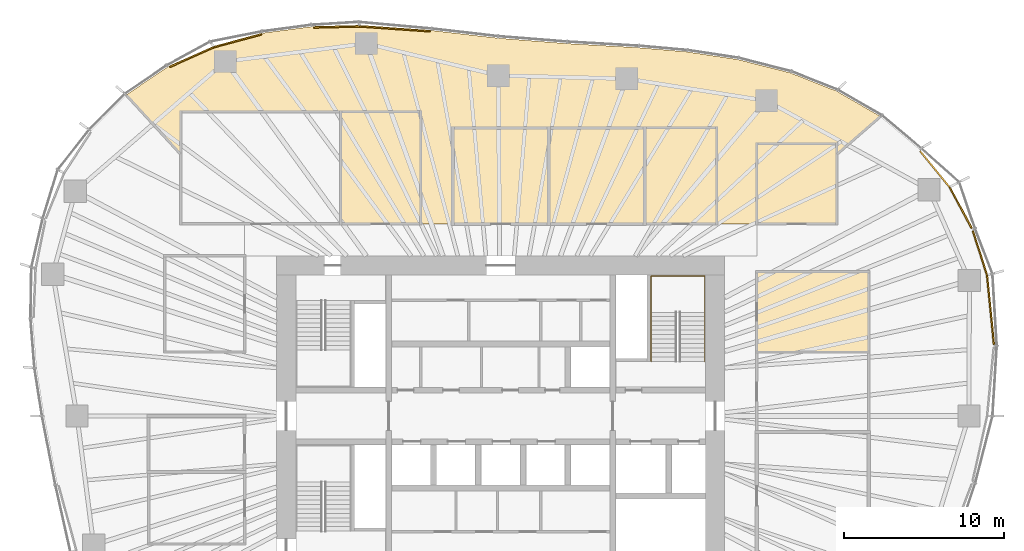
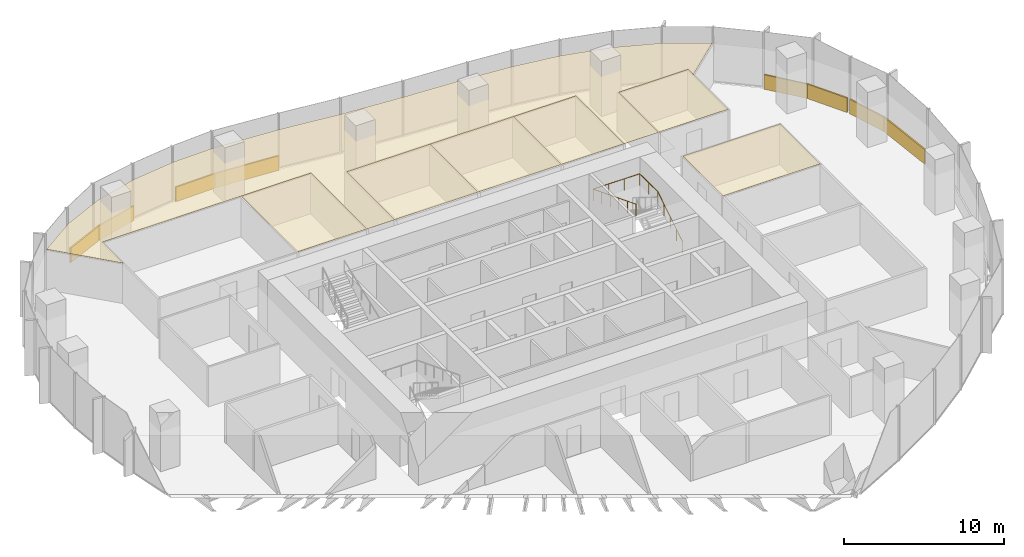
# One storey, part 18 of 18: 15 coverings, 1 railing.
"""IFC4 building model written with IfcOpenShell, lengths in metres."""

from ifc_helpers import new_model, si_unit, direction, frame, origin, origin_2d, place, context, subcontext, project, spatial, polyline, rectangle, circle, outline, extrude, material, layer, layer_set, type_object, element, save


model = new_model("IFC4")

# Units and contexts
model_context = context("Model", 3, precision=1e-05, world=origin(), true_north=direction((0.0, 1.0)))
body_context = subcontext(model_context, "Body", "Model", "MODEL_VIEW")
ifc_project = project(units=[si_unit("LENGTHUNIT", "METRE"), si_unit("AREAUNIT", "SQUARE_METRE"), si_unit("VOLUMEUNIT", "CUBIC_METRE"), si_unit("PLANEANGLEUNIT", "RADIAN"), si_unit("MASSUNIT", "GRAM", prefix="KILO")], contexts=[model_context])

# Site, building, storey
site_placement = place(None, origin())
site = spatial("IfcSite", under=ifc_project, at=site_placement, CompositionType="ELEMENT")
building_placement = place(site_placement, origin())
building = spatial("IfcBuilding", under=site, at=building_placement, Name="Ghaith Harvest Tower", CompositionType="ELEMENT")
storey_placement = place(building_placement, frame((0.0, 0.0, 159.60009765625)))
storey = spatial("IfcBuildingStorey", under=building, at=storey_placement, Name="L34", CompositionType="ELEMENT", Elevation=159.60009765625)

# Coverings
ifc_material_1 = material(Name="Mineral fibre ceiling tile", Category="gypsum")
ifc_layer_1 = layer(ifc_material_1, 0.02001953125)
ifc_layer_set_1 = layer_set([ifc_layer_1], Name="CEILING C1")
covering_type_1 = type_object("IfcCoveringType", Name="CEILING C1", PredefinedType="CEILING", material=ifc_layer_set_1)
covering_1_placement = place(storey_placement, frame((0.0, 0.0, 3.0)))
element("IfcCovering", 1, at=covering_1_placement, inside=storey, type_object=covering_type_1, Name="Ceiling L34-06", PredefinedType="CEILING", context=body_context, shape_type="SweptSolid", body=[
    extrude(outline(polyline([(-10.0, 12.0), (-5.0, 12.0), (-5.0, 19.0), (-10.0, 19.0), (-10.0, 12.0)])), origin(), (0.0, 0.0, 1.0), 0.02001953125),
])
covering_2_placement = place(storey_placement, frame((0.0, 0.0, 3.0)))
element("IfcCovering", 2, at=covering_2_placement, inside=storey, type_object=covering_type_1, Name="Ceiling L34-07", PredefinedType="CEILING", context=body_context, shape_type="SweptSolid", body=[
    extrude(outline(polyline([(-3.0, 12.0), (3.0, 12.0), (3.0, 18.0), (-3.0, 18.0), (-3.0, 12.0)])), origin(), (0.0, 0.0, 1.0), 0.02001953125),
])
covering_3_placement = place(storey_placement, frame((0.0, 0.0, 3.0)))
element("IfcCovering", 3, at=covering_3_placement, inside=storey, type_object=covering_type_1, Name="Ceiling L34-08", PredefinedType="CEILING", context=body_context, shape_type="SweptSolid", body=[
    extrude(outline(polyline([(3.0, 12.0), (9.0, 12.0), (9.0, 18.0), (3.0, 18.0), (3.0, 12.0)])), origin(), (0.0, 0.0, 1.0), 0.02001953125),
])
covering_4_placement = place(storey_placement, frame((0.0, 0.0, 3.0)))
element("IfcCovering", 4, at=covering_4_placement, inside=storey, type_object=covering_type_1, Name="Ceiling L34-09", PredefinedType="CEILING", context=body_context, shape_type="SweptSolid", body=[
    extrude(outline(polyline([(9.0, 12.0), (13.5, 12.0), (13.5, 18.0), (9.0, 18.0), (9.0, 12.0)])), origin(), (0.0, 0.0, 1.0), 0.02001953125),
])
covering_5_placement = place(storey_placement, frame((0.0, 0.0, 3.0)))
element("IfcCovering", 5, at=covering_5_placement, inside=storey, type_object=covering_type_1, Name="Ceiling L34-12", PredefinedType="CEILING", context=body_context, shape_type="SweptSolid", body=[
    extrude(outline(polyline([(16.0, 4.0), (23.0, 4.0), (23.0, 9.0), (16.0, 9.0), (16.0, 4.0)])), origin(), (0.0, 0.0, 1.0), 0.02001953125),
])
covering_6_placement = place(storey_placement, frame((0.0, 0.0, 3.0)))
element("IfcCovering", 6, at=covering_6_placement, inside=storey, type_object=covering_type_1, Name="Ceiling L34-15", PredefinedType="CEILING", context=body_context, shape_type="SweptSolid", body=[
    extrude(outline(polyline([(16.0, 12.0), (21.0, 12.0), (21.0, 17.0), (16.0, 17.0), (16.0, 12.0)])), origin(), (0.0, 0.0, 1.0), 0.02001953125),
])
covering_7_placement = place(storey_placement, frame((0.0, 0.0, 3.0)))
element("IfcCovering", 7, at=covering_7_placement, inside=storey, type_object=covering_type_1, Name="Ceiling L34-N1", PredefinedType="CEILING", context=body_context, shape_type="SweptSolid", body=[
    extrude(outline(polyline([(-20.79248046875, 21.82470703125), (-17.938232421875, 23.097412109375), (-14.860595703125, 23.927978515625), (-11.788818359375, 24.331787109375), (-8.814208984375, 24.404541015625), (-4.302001953125, 24.089111328125), (-0.16162109375, 23.609619140625), (4.125732421875, 23.272705078125), (8.604736328125, 23.017333984375), (11.617919921875, 22.757080078125), (14.79833984375, 22.27978515625), (18.0849609375, 21.4462890625), (20.97998046875, 20.3056640625), (23.7275390625, 18.718017578125), (21.0, 16.3466796875), (21.0, 17.0), (16.0, 17.0), (16.0, 12.0), (13.5, 12.0), (13.5, 18.0), (-3.0, 18.0), (-3.0, 12.0), (-5.0, 12.0), (-5.0, 19.0), (-20.0, 19.0), (-20.0, 16.3583984375), (-23.398193359375, 20.06103515625), (-20.79248046875, 21.82470703125)])), origin(), (0.0, 0.0, 1.0), 0.02001953125),
])

# Railing
ifc_material_2 = material(Name="Steel, black powder-coated", Category="steel")
railing_type = type_object("IfcRailingType", Name="HANDRAIL HR1", PredefinedType="HANDRAIL", material=ifc_material_2)
railing_placement = place(storey_placement, frame((12.75, 3.39990234375, 0.1748046875)))
element("IfcRailing", 8, at=railing_placement, inside=storey, type_object=railing_type, Name="Handrail HR1 stair ST2 L34 wall side", PredefinedType="HANDRAIL", context=body_context, shape_type="SweptSolid", body=[
    extrude(circle(Radius=0.02392578125, at=origin_2d()), frame((0.0, 0.0, 0.8759765625), z_axis=(0.0, 0.847998304005, 0.529998940003), x_axis=(-1.0, 0.0, 0.0)), (0.0, 0.0, 1.0), 3.632080078125),
    extrude(circle(Radius=0.02392578125, at=origin_2d()), frame((0.0, 3.080078125, 2.80078125), z_axis=(0.0, 1.0, 0.0), x_axis=(-1.0, 0.0, 0.0)), (0.0, 0.0, 1.0), 2.27001953125),
    extrude(circle(Radius=0.02392578125, at=origin_2d()), frame((0.0, 5.35009765625, 2.80078125), z_axis=(-1.0, 0.0, 0.0), x_axis=(0.0, -1.0, 0.0)), (0.0, 0.0, 1.0), 3.35009765625),
    extrude(circle(Radius=0.02392578125, at=origin_2d()), frame((-3.35009765625, 5.35009765625, 2.80078125), z_axis=(0.0, -0.930853684876, 0.365392141887), x_axis=(1.0, 0.0, 0.0)), (0.0, 0.0, 1.0), 5.74755859375),
    extrude(circle(Radius=0.02099609375, at=origin_2d()), origin(), (0.0, 0.0, 1.0), 0.851806640625),
    extrude(circle(Radius=0.02099609375, at=origin_2d()), frame((0.0, 0.77001953125, 0.481201171875)), (0.0, 0.0, 1.0), 0.851806640625),
    extrude(circle(Radius=0.02099609375, at=origin_2d()), frame((0.0, 1.5400390625, 0.96240234375)), (0.0, 0.0, 1.0), 0.851806640625),
    extrude(circle(Radius=0.02099609375, at=origin_2d()), frame((0.0, 2.31005859375, 1.44384765625)), (0.0, 0.0, 1.0), 0.851806640625),
    extrude(circle(Radius=0.02099609375, at=origin_2d()), frame((0.0, 3.080078125, 1.925048828125)), (0.0, 0.0, 1.0), 0.851806640625),
    extrude(circle(Radius=0.02099609375, at=origin_2d()), frame((0.0, 4.215087890625, 1.925048828125)), (0.0, 0.0, 1.0), 0.851806640625),
    extrude(circle(Radius=0.02099609375, at=origin_2d()), frame((0.0, 5.35009765625, 1.925048828125)), (0.0, 0.0, 1.0), 0.851806640625),
    extrude(circle(Radius=0.02099609375, at=origin_2d()), frame((-1.11669921875, 5.35009765625, 1.925048828125)), (0.0, 0.0, 1.0), 0.851806640625),
    extrude(circle(Radius=0.02099609375, at=origin_2d()), frame((-2.2333984375, 5.35009765625, 1.925048828125)), (0.0, 0.0, 1.0), 0.851806640625),
    extrude(circle(Radius=0.02099609375, at=origin_2d()), frame((-3.35009765625, 5.35009765625, 1.925048828125)), (0.0, 0.0, 1.0), 0.851806640625),
    extrude(circle(Radius=0.02099609375, at=origin_2d()), frame((-3.35009765625, 4.280029296875, 2.344970703125)), (0.0, 0.0, 1.0), 0.851806640625),
    extrude(circle(Radius=0.02099609375, at=origin_2d()), frame((-3.35009765625, 3.2099609375, 2.76513671875)), (0.0, 0.0, 1.0), 0.851806640625),
    extrude(circle(Radius=0.02099609375, at=origin_2d()), frame((-3.35009765625, 2.14013671875, 3.18505859375)), (0.0, 0.0, 1.0), 0.851806640625),
    extrude(circle(Radius=0.02099609375, at=origin_2d()), frame((-3.35009765625, 1.070068359375, 3.605224609375)), (0.0, 0.0, 1.0), 0.851806640625),
    extrude(circle(Radius=0.02099609375, at=origin_2d()), frame((-3.35009765625, 0.0, 4.025146484375)), (0.0, 0.0, 1.0), 0.851806640625),
])

# Coverings
ifc_material_3 = material(Name="Insulated aluminium spandrel panel on steel framing", Category="steel")
ifc_layer_2 = layer(ifc_material_3, 0.10009765625)
ifc_layer_set_2 = layer_set([ifc_layer_2], Name="SLAB EDGE UPSTAND 1100x100")
covering_type_2 = type_object("IfcCoveringType", Name="SLAB EDGE UPSTAND 1100x100", PredefinedType="CLADDING", material=ifc_layer_set_2)
covering_8_placement = place(storey_placement, frame((30.604736328125, 6.630126953125, -0.000244140625), z_axis=(0.0, 0.0, 1.0), x_axis=(-0.099131765681, 0.995074315332, 0.0)))
element("IfcCovering", 9, at=covering_8_placement, inside=storey, type_object=covering_type_2, Name="Slab edge upstand 2 bay 01 L34", PredefinedType="CLADDING", context=body_context, shape_type="SweptSolid", body=[
    extrude(rectangle(XDim=4.346435546875, YDim=0.10009765625, at=origin_2d()), origin(), (0.0, 0.0, 1.0), 1.10009765625),
])
covering_9_placement = place(storey_placement, frame((29.948486328125, 10.171875, -0.000244140625), z_axis=(0.0, 0.0, 1.0), x_axis=(-0.303716894855, 0.952762324916, 0.0)))
element("IfcCovering", 10, at=covering_9_placement, inside=storey, type_object=covering_type_2, Name="Slab edge upstand 1 bay 02 L34", PredefinedType="CLADDING", context=body_context, shape_type="SweptSolid", body=[
    extrude(rectangle(XDim=2.916748046875, YDim=0.10009765625, at=origin_2d()), origin(), (0.0, 0.0, 1.0), 1.10009765625),
])
for number, where, z_axis, x_axis, name in (
    (11, (28.738037109375, 13.018798828125, -0.000244140625), (0.0, 0.0, 1.0), (-0.475408661811, 0.87976508471, 0.0), "Slab edge upstand 2 bay 02 L34"),
    (12, (27.127197265625, 15.4228515625, -0.000244140625), (0.0, 0.0, 1.0), (-0.632969558548, 0.774176683937, 0.0), "Slab edge upstand 3 bay 02 L34"),
):
    element("IfcCovering", number, at=place(storey_placement, frame(where, z_axis=z_axis, x_axis=x_axis)), inside=storey, type_object=covering_type_2, Name=name, PredefinedType="CLADDING", context=body_context, shape_type="SweptSolid", body=[
        extrude(rectangle(XDim=2.91650390625, YDim=0.10009765625, at=origin_2d()), origin(), (0.0, 0.0, 1.0), 1.10009765625),
    ])
covering_10_placement = place(storey_placement, frame((-6.611572265625, 24.200439453125, -0.000244140625), z_axis=(0.0, 0.0, 1.0), x_axis=(-0.997566199698, 0.069725728542, 0.0)))
element("IfcCovering", 13, at=covering_10_placement, inside=storey, type_object=covering_type_2, Name="Slab edge upstand 2 bay 06 L34", PredefinedType="CLADDING", context=body_context, shape_type="SweptSolid", body=[
    extrude(rectangle(XDim=4.42333984375, YDim=0.10009765625, at=origin_2d()), origin(), (0.0, 0.0, 1.0), 1.10009765625),
])
covering_11_placement = place(storey_placement, frame((-10.25048828125, 24.3193359375, -0.000244140625), z_axis=(0.0, 0.0, 1.0), x_axis=(-0.999700846757, -0.024458474865, 0.0)))
element("IfcCovering", 14, at=covering_11_placement, inside=storey, type_object=covering_type_2, Name="Slab edge upstand 1 bay 07 L34", PredefinedType="CLADDING", context=body_context, shape_type="SweptSolid", body=[
    extrude(rectangle(XDim=2.87548828125, YDim=0.10009765625, at=origin_2d()), origin(), (0.0, 0.0, 1.0), 1.10009765625),
])
covering_12_placement = place(storey_placement, frame((-16.4345703125, 23.451416015625, -0.000244140625), z_axis=(0.0, 0.0, 1.0), x_axis=(-0.965455035926, -0.260569709685, 0.0)))
element("IfcCovering", 15, at=covering_12_placement, inside=storey, type_object=covering_type_2, Name="Slab edge upstand 3 bay 07 L34", PredefinedType="CLADDING", context=body_context, shape_type="SweptSolid", body=[
    extrude(rectangle(XDim=3.087890625, YDim=0.10009765625, at=origin_2d()), origin(), (0.0, 0.0, 1.0), 1.10009765625),
])
covering_13_placement = place(storey_placement, frame((-19.29931640625, 22.435791015625, -0.000244140625), z_axis=(0.0, 0.0, 1.0), x_axis=(-0.913334621001, -0.40720986, 0.0)))
element("IfcCovering", 16, at=covering_13_placement, inside=storey, type_object=covering_type_2, Name="Slab edge upstand 1 bay 08 L34", PredefinedType="CLADDING", context=body_context, shape_type="SweptSolid", body=[
    extrude(rectangle(XDim=3.025146484375, YDim=0.10009765625, at=origin_2d()), origin(), (0.0, 0.0, 1.0), 1.10009765625),
])

save(model, "model.ifc")
